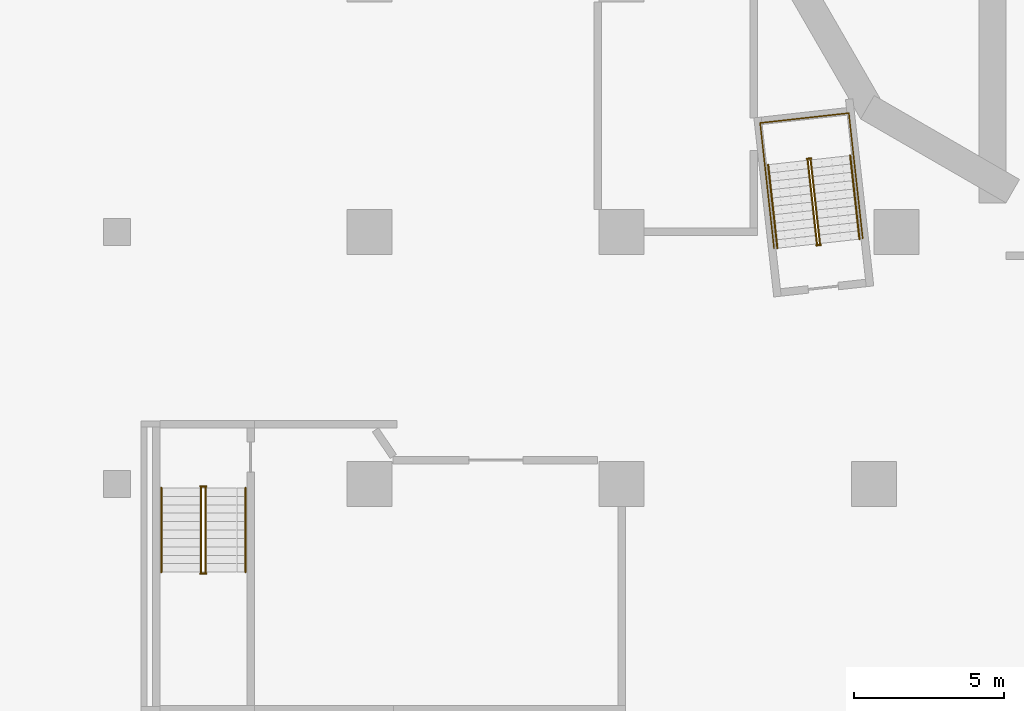
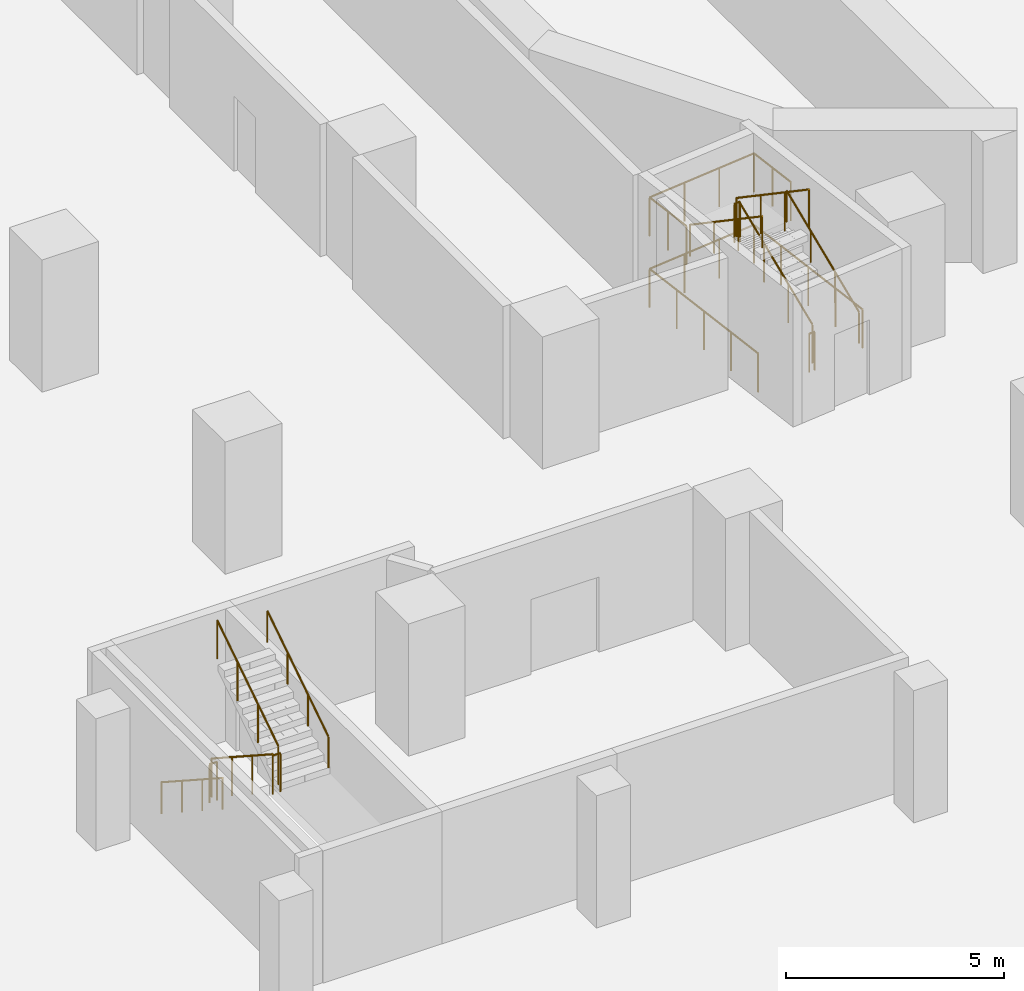
# One storey, part 13 of 18: 13 railings.
"""IFC4 building model written with IfcOpenShell, lengths in metres."""

from ifc_helpers import new_model, si_unit, direction, frame, origin, origin_2d, place, context, subcontext, project, spatial, circle, extrude, material, type_object, element, save


model = new_model("IFC4")

# Units and contexts
model_context = context("Model", 3, precision=1e-05, world=origin(), true_north=direction((0.0, 1.0)))
body_context = subcontext(model_context, "Body", "Model", "MODEL_VIEW")
ifc_project = project(units=[si_unit("LENGTHUNIT", "METRE"), si_unit("AREAUNIT", "SQUARE_METRE"), si_unit("VOLUMEUNIT", "CUBIC_METRE"), si_unit("PLANEANGLEUNIT", "RADIAN"), si_unit("MASSUNIT", "GRAM", prefix="KILO")], contexts=[model_context])

# Site, building, storey
site_placement = place(None, origin())
site = spatial("IfcSite", under=ifc_project, at=site_placement, CompositionType="ELEMENT")
building_placement = place(site_placement, origin())
building = spatial("IfcBuilding", under=site, at=building_placement, Name="Cantera Rosa Tower", CompositionType="ELEMENT")
storey_placement = place(building_placement, frame((0.0, 0.0, -9.0)))
storey = spatial("IfcBuildingStorey", under=building, at=storey_placement, Name="B2", CompositionType="ELEMENT", Elevation=-9.0)

# Railings
ifc_material_1 = material(Name="Steel S355J2 (EN 10025-2)", Category="steel")
railing_type_1 = type_object("IfcRailingType", Name="STAIR GUARD 1100", PredefinedType="GUARDRAIL", material=ifc_material_1)
railing_1_placement = place(storey_placement, frame((-10.19677734375, -12.986083984375, 0.181884765625)))
element("IfcRailing", 1, at=railing_1_placement, inside=storey, type_object=railing_type_1, Name="B2 ST-13 stair guard 1", PredefinedType="GUARDRAIL", context=body_context, shape_type="SweptSolid", body=[
    extrude(circle(Radius=0.02392578125, at=origin_2d()), frame((0.0, 0.0, 1.076171875), z_axis=(-0.09250714026, 0.833588056777, 0.544585512661), x_axis=(-0.993898612038, -0.110297547524, 0.0)), (0.0, 0.0, 1.0), 3.338623046875),
    extrude(circle(Radius=0.02392578125, at=origin_2d()), frame((-0.308837890625, 2.782958984375, 2.89404296875), z_axis=(0.360141847183, 0.932897555956, 0.0), x_axis=(-0.932897555956, 0.360141847183, 0.0)), (0.0, 0.0, 1.0), 0.05615234375),
    extrude(circle(Radius=0.02392578125, at=origin_2d()), frame((-0.28857421875, 2.83544921875, 2.89404296875), z_axis=(-0.993863881828, -0.110610055588, 0.0), x_axis=(0.110610055588, -0.993863881828, 0.0)), (0.0, 0.0, 1.0), 0.150146484375),
    extrude(circle(Radius=0.02099609375, at=origin_2d()), origin(), (0.0, 0.0, 1.0), 1.052001953125),
    extrude(circle(Radius=0.02099609375, at=origin_2d()), frame((-0.10302734375, 0.927734375, 0.60595703125)), (0.0, 0.0, 1.0), 1.052001953125),
    extrude(circle(Radius=0.02099609375, at=origin_2d()), frame((-0.205810546875, 1.855224609375, 1.212158203125)), (0.0, 0.0, 1.0), 1.052001953125),
    extrude(circle(Radius=0.02099609375, at=origin_2d()), frame((-0.308837890625, 2.782958984375, 1.818115234375)), (0.0, 0.0, 1.0), 1.052001953125),
    extrude(circle(Radius=0.02099609375, at=origin_2d()), frame((-0.28857421875, 2.83544921875, 1.818115234375)), (0.0, 0.0, 1.0), 1.052001953125),
    extrude(circle(Radius=0.02099609375, at=origin_2d()), frame((-0.437744140625, 2.81884765625, 1.818115234375)), (0.0, 0.0, 1.0), 1.052001953125),
])
railing_2_placement = place(storey_placement, frame((-10.60302734375, -10.2138671875, 2.181884765625)))
element("IfcRailing", 2, at=railing_2_placement, inside=storey, type_object=railing_type_1, Name="B2 ST-13 stair guard 2", PredefinedType="GUARDRAIL", context=body_context, shape_type="SweptSolid", body=[
    extrude(circle(Radius=0.02392578125, at=origin_2d()), frame((0.0, 0.0, 1.076171875), z_axis=(0.09250714026, -0.833588056777, 0.544585512661), x_axis=(0.993898612038, 0.110297547524, 0.0)), (0.0, 0.0, 1.0), 3.338623046875),
    extrude(circle(Radius=0.02099609375, at=origin_2d()), origin(), (0.0, 0.0, 1.0), 1.052001953125),
    extrude(circle(Radius=0.02099609375, at=origin_2d()), frame((0.10302734375, -0.927734375, 0.60595703125)), (0.0, 0.0, 1.0), 1.052001953125),
    extrude(circle(Radius=0.02099609375, at=origin_2d()), frame((0.205810546875, -1.855224609375, 1.212158203125)), (0.0, 0.0, 1.0), 1.052001953125),
    extrude(circle(Radius=0.02099609375, at=origin_2d()), frame((0.308837890625, -2.782958984375, 1.818115234375)), (0.0, 0.0, 1.0), 1.052001953125),
])
railing_3_placement = place(storey_placement, frame((-10.16552734375, -13.032958984375, 0.0)))
element("IfcRailing", 3, at=railing_3_placement, inside=storey, type_object=railing_type_1, Name="B2 ST-13 stair guard 3", PredefinedType="GUARDRAIL", context=body_context, shape_type="SweptSolid", body=[
    extrude(circle(Radius=0.02392578125, at=origin_2d()), frame((0.0, 0.0, 1.076171875), z_axis=(-0.994041430915, -0.1090029065, 0.0), x_axis=(0.1090029065, -0.994041430915, 0.0)), (0.0, 0.0, 1.0), 0.150146484375),
    extrude(circle(Radius=0.02099609375, at=origin_2d()), origin(), (0.0, 0.0, 1.0), 1.052001953125),
    extrude(circle(Radius=0.02099609375, at=origin_2d()), frame((-0.149169921875, -0.016357421875, 0.0)), (0.0, 0.0, 1.0), 1.052001953125),
])
railing_4_placement = place(storey_placement, frame((-8.77099609375, -12.815673828125, 0.0)))
element("IfcRailing", 4, at=railing_4_placement, inside=storey, type_object=railing_type_1, Name="B2 ST-13 stair guard 4", PredefinedType="GUARDRAIL", context=body_context, shape_type="SweptSolid", body=[
    extrude(circle(Radius=0.02392578125, at=origin_2d()), frame((0.0, 0.0, 1.076171875), z_axis=(-0.110323013767, 0.9938957856, 0.0), x_axis=(-0.9938957856, -0.110323013767, 0.0)), (0.0, 0.0, 1.0), 4.197998046875),
    extrude(circle(Radius=0.02392578125, at=origin_2d()), frame((-0.463134765625, 4.17236328125, 1.076171875), z_axis=(-0.993896759678, -0.110314237986, 0.0), x_axis=(0.110314237986, -0.993896759678, 0.0)), (0.0, 0.0, 1.0), 2.969970703125),
    extrude(circle(Radius=0.02392578125, at=origin_2d()), frame((-3.4150390625, 3.8447265625, 1.076171875), z_axis=(0.110323013767, -0.9938957856, 0.0), x_axis=(0.9938957856, 0.110323013767, 0.0)), (0.0, 0.0, 1.0), 4.197998046875),
    extrude(circle(Radius=0.02099609375, at=origin_2d()), origin(), (0.0, 0.0, 1.0), 1.052001953125),
    extrude(circle(Radius=0.02099609375, at=origin_2d()), frame((-0.11572265625, 1.04296875, 0.0)), (0.0, 0.0, 1.0), 1.052001953125),
    extrude(circle(Radius=0.02099609375, at=origin_2d()), frame((-0.2314453125, 2.086181640625, 0.0)), (0.0, 0.0, 1.0), 1.052001953125),
    extrude(circle(Radius=0.02099609375, at=origin_2d()), frame((-0.347412109375, 3.12939453125, 0.0)), (0.0, 0.0, 1.0), 1.052001953125),
    extrude(circle(Radius=0.02099609375, at=origin_2d()), frame((-0.463134765625, 4.17236328125, 0.0)), (0.0, 0.0, 1.0), 1.052001953125),
    extrude(circle(Radius=0.02099609375, at=origin_2d()), frame((-1.447021484375, 4.063232421875, 0.0)), (0.0, 0.0, 1.0), 1.052001953125),
    extrude(circle(Radius=0.02099609375, at=origin_2d()), frame((-2.43115234375, 3.953857421875, 0.0)), (0.0, 0.0, 1.0), 1.052001953125),
    extrude(circle(Radius=0.02099609375, at=origin_2d()), frame((-3.4150390625, 3.8447265625, 0.0)), (0.0, 0.0, 1.0), 1.052001953125),
    extrude(circle(Radius=0.02099609375, at=origin_2d()), frame((-3.29931640625, 2.8017578125, 0.0)), (0.0, 0.0, 1.0), 1.052001953125),
    extrude(circle(Radius=0.02099609375, at=origin_2d()), frame((-3.18359375, 1.758544921875, 0.0)), (0.0, 0.0, 1.0), 1.052001953125),
    extrude(circle(Radius=0.02099609375, at=origin_2d()), frame((-3.067626953125, 0.71533203125, 0.0)), (0.0, 0.0, 1.0), 1.052001953125),
    extrude(circle(Radius=0.02099609375, at=origin_2d()), frame((-2.951904296875, -0.32763671875, 0.0)), (0.0, 0.0, 1.0), 1.052001953125),
])
railing_5_placement = place(storey_placement, frame((-9.0771484375, -10.056640625, 2.0)))
element("IfcRailing", 5, at=railing_5_placement, inside=storey, type_object=railing_type_1, Name="B2 ST-13 stair guard 5", PredefinedType="GUARDRAIL", context=body_context, shape_type="SweptSolid", body=[
    extrude(circle(Radius=0.02392578125, at=origin_2d()), frame((0.0, 0.0, 1.076171875), z_axis=(-0.110393838913, 0.993887921413, 0.0), x_axis=(-0.993887921413, -0.110393838913, 0.0)), (0.0, 0.0, 1.0), 1.422119140625),
    extrude(circle(Radius=0.02392578125, at=origin_2d()), frame((-0.156982421875, 1.413330078125, 1.076171875), z_axis=(-0.993896759678, -0.110314237986, 0.0), x_axis=(0.110314237986, -0.993896759678, 0.0)), (0.0, 0.0, 1.0), 2.969970703125),
    extrude(circle(Radius=0.02392578125, at=origin_2d()), frame((-3.10888671875, 1.085693359375, 1.076171875), z_axis=(0.110393838913, -0.993887921413, 0.0), x_axis=(0.993887921413, 0.110393838913, 0.0)), (0.0, 0.0, 1.0), 1.422119140625),
    extrude(circle(Radius=0.02099609375, at=origin_2d()), origin(), (0.0, 0.0, 1.0), 1.052001953125),
    extrude(circle(Radius=0.02099609375, at=origin_2d()), frame((-0.07861328125, 0.70654296875, 0.0)), (0.0, 0.0, 1.0), 1.052001953125),
    extrude(circle(Radius=0.02099609375, at=origin_2d()), frame((-0.156982421875, 1.413330078125, 0.0)), (0.0, 0.0, 1.0), 1.052001953125),
    extrude(circle(Radius=0.02099609375, at=origin_2d()), frame((-1.140869140625, 1.30419921875, 0.0)), (0.0, 0.0, 1.0), 1.052001953125),
    extrude(circle(Radius=0.02099609375, at=origin_2d()), frame((-2.125, 1.19482421875, 0.0)), (0.0, 0.0, 1.0), 1.052001953125),
    extrude(circle(Radius=0.02099609375, at=origin_2d()), frame((-3.10888671875, 1.085693359375, 0.0)), (0.0, 0.0, 1.0), 1.052001953125),
    extrude(circle(Radius=0.02099609375, at=origin_2d()), frame((-3.0302734375, 0.37890625, 0.0)), (0.0, 0.0, 1.0), 1.052001953125),
    extrude(circle(Radius=0.02099609375, at=origin_2d()), frame((-2.951904296875, -0.32763671875, 0.0)), (0.0, 0.0, 1.0), 1.052001953125),
])
railing_6_placement = place(storey_placement, frame((-30.799072265625, -21.125, 0.181884765625)))
element("IfcRailing", 6, at=railing_6_placement, inside=storey, type_object=railing_type_1, Name="B2 ST-SW stair guard 1", PredefinedType="GUARDRAIL", context=body_context, shape_type="SweptSolid", body=[
    extrude(circle(Radius=0.02392578125, at=origin_2d()), frame((0.0, 0.0, 1.076171875), z_axis=(0.0, -0.838705829183, 0.544584733623), x_axis=(1.0, 0.0, 0.0)), (0.0, 0.0, 1.0), 3.338623046875),
    extrude(circle(Radius=0.02099609375, at=origin_2d()), origin(), (0.0, 0.0, 1.0), 1.052001953125),
    extrude(circle(Radius=0.02099609375, at=origin_2d()), frame((0.0, -0.933349609375, 0.60595703125)), (0.0, 0.0, 1.0), 1.052001953125),
    extrude(circle(Radius=0.02099609375, at=origin_2d()), frame((0.0, -1.86669921875, 1.212158203125)), (0.0, 0.0, 1.0), 1.052001953125),
    extrude(circle(Radius=0.02099609375, at=origin_2d()), frame((0.0, -2.800048828125, 1.818115234375)), (0.0, 0.0, 1.0), 1.052001953125),
])
railing_7_placement = place(storey_placement, frame((-30.824951171875, -23.97509765625, 2.0)))
element("IfcRailing", 7, at=railing_7_placement, inside=storey, type_object=railing_type_1, Name="B2 ST-SW stair guard 2", PredefinedType="GUARDRAIL", context=body_context, shape_type="SweptSolid", body=[
    extrude(circle(Radius=0.02392578125, at=origin_2d()), frame((0.0, 0.0, 1.076171875), z_axis=(1.0, 0.0, 0.0), x_axis=(0.0, 1.0, 0.0)), (0.0, 0.0, 1.0), 0.199951171875),
    extrude(circle(Radius=0.02099609375, at=origin_2d()), origin(), (0.0, 0.0, 1.0), 1.052001953125),
    extrude(circle(Radius=0.02099609375, at=origin_2d()), frame((0.199951171875, 0.0, 0.0)), (0.0, 0.0, 1.0), 1.052001953125),
])
railing_8_placement = place(storey_placement, frame((-30.65087890625, -23.925048828125, 2.181884765625)))
element("IfcRailing", 8, at=railing_8_placement, inside=storey, type_object=railing_type_1, Name="B2 ST-SW stair guard 3", PredefinedType="GUARDRAIL", context=body_context, shape_type="SweptSolid", body=[
    extrude(circle(Radius=0.02392578125, at=origin_2d()), frame((0.0, 0.0, 1.076171875), z_axis=(0.0, 0.838705829183, 0.544584733623), x_axis=(-1.0, 0.0, 0.0)), (0.0, 0.0, 1.0), 3.338623046875),
    extrude(circle(Radius=0.02099609375, at=origin_2d()), origin(), (0.0, 0.0, 1.0), 1.052001953125),
    extrude(circle(Radius=0.02099609375, at=origin_2d()), frame((0.0, 0.933349609375, 0.60595703125)), (0.0, 0.0, 1.0), 1.052001953125),
    extrude(circle(Radius=0.02099609375, at=origin_2d()), frame((0.0, 1.86669921875, 1.212158203125)), (0.0, 0.0, 1.0), 1.052001953125),
    extrude(circle(Radius=0.02099609375, at=origin_2d()), frame((0.0, 2.800048828125, 1.818115234375)), (0.0, 0.0, 1.0), 1.052001953125),
])
railing_9_placement = place(storey_placement, frame((-30.824951171875, -21.074951171875, 0.0)))
element("IfcRailing", 9, at=railing_9_placement, inside=storey, type_object=railing_type_1, Name="B2 ST-SW stair guard 4", PredefinedType="GUARDRAIL", context=body_context, shape_type="SweptSolid", body=[
    extrude(circle(Radius=0.02392578125, at=origin_2d()), frame((0.0, 0.0, 1.076171875), z_axis=(1.0, 0.0, 0.0), x_axis=(0.0, 1.0, 0.0)), (0.0, 0.0, 1.0), 0.199951171875),
    extrude(circle(Radius=0.02099609375, at=origin_2d()), origin(), (0.0, 0.0, 1.0), 1.052001953125),
    extrude(circle(Radius=0.02099609375, at=origin_2d()), frame((0.199951171875, 0.0, 0.0)), (0.0, 0.0, 1.0), 1.052001953125),
])
ifc_material_2 = material(Name="Steel S355J2 (EN 10025-2)", Category="steel")
railing_type_2 = type_object("IfcRailingType", Name="STAIR HANDRAIL 900", PredefinedType="HANDRAIL", material=ifc_material_2)
railing_10_placement = place(storey_placement, frame((-8.87890625, -12.83984375, 0.181884765625)))
element("IfcRailing", 10, at=railing_10_placement, inside=storey, type_object=railing_type_2, Name="B2 ST-13 stair handrail 1", PredefinedType="HANDRAIL", context=body_context, shape_type="SweptSolid", body=[
    extrude(circle(Radius=0.02392578125, at=origin_2d()), frame((0.0, 0.0, 0.8759765625), z_axis=(-0.09250714026, 0.833588056777, 0.544585512661), x_axis=(-0.993898612038, -0.110297547524, 0.0)), (0.0, 0.0, 1.0), 3.338623046875),
    extrude(circle(Radius=0.02099609375, at=origin_2d()), origin(), (0.0, 0.0, 1.0), 0.851806640625),
    extrude(circle(Radius=0.02099609375, at=origin_2d()), frame((-0.10302734375, 0.927734375, 0.60595703125)), (0.0, 0.0, 1.0), 0.851806640625),
    extrude(circle(Radius=0.02099609375, at=origin_2d()), frame((-0.205810546875, 1.855224609375, 1.212158203125)), (0.0, 0.0, 1.0), 0.851806640625),
    extrude(circle(Radius=0.02099609375, at=origin_2d()), frame((-0.308837890625, 2.782958984375, 1.818115234375)), (0.0, 0.0, 1.0), 0.851806640625),
])
railing_11_placement = place(storey_placement, frame((-11.921142578125, -10.360107421875, 2.181884765625)))
element("IfcRailing", 11, at=railing_11_placement, inside=storey, type_object=railing_type_2, Name="B2 ST-13 stair handrail 2", PredefinedType="HANDRAIL", context=body_context, shape_type="SweptSolid", body=[
    extrude(circle(Radius=0.02392578125, at=origin_2d()), frame((0.0, 0.0, 0.8759765625), z_axis=(0.092579641899, -0.833582415484, 0.544581827187), x_axis=(0.99388905004, 0.110383677283, 0.0)), (0.0, 0.0, 1.0), 3.338623046875),
    extrude(circle(Radius=0.02099609375, at=origin_2d()), origin(), (0.0, 0.0, 1.0), 0.851806640625),
    extrude(circle(Radius=0.02099609375, at=origin_2d()), frame((0.10302734375, -0.927734375, 0.60595703125)), (0.0, 0.0, 1.0), 0.851806640625),
    extrude(circle(Radius=0.02099609375, at=origin_2d()), frame((0.2060546875, -1.855224609375, 1.212158203125)), (0.0, 0.0, 1.0), 0.851806640625),
    extrude(circle(Radius=0.02099609375, at=origin_2d()), frame((0.30908203125, -2.782958984375, 1.818115234375)), (0.0, 0.0, 1.0), 0.851806640625),
])
railing_12_placement = place(storey_placement, frame((-32.125, -21.125, 0.181884765625)))
element("IfcRailing", 12, at=railing_12_placement, inside=storey, type_object=railing_type_2, Name="B2 ST-SW stair handrail 1", PredefinedType="HANDRAIL", context=body_context, shape_type="SweptSolid", body=[
    extrude(circle(Radius=0.02392578125, at=origin_2d()), frame((0.0, 0.0, 0.8759765625), z_axis=(0.0, -0.838705829183, 0.544584733623), x_axis=(1.0, 0.0, 0.0)), (0.0, 0.0, 1.0), 3.338623046875),
    extrude(circle(Radius=0.02099609375, at=origin_2d()), origin(), (0.0, 0.0, 1.0), 0.851806640625),
    extrude(circle(Radius=0.02099609375, at=origin_2d()), frame((0.0, -0.933349609375, 0.60595703125)), (0.0, 0.0, 1.0), 0.851806640625),
    extrude(circle(Radius=0.02099609375, at=origin_2d()), frame((0.0, -1.86669921875, 1.212158203125)), (0.0, 0.0, 1.0), 0.851806640625),
    extrude(circle(Radius=0.02099609375, at=origin_2d()), frame((0.0, -2.800048828125, 1.818115234375)), (0.0, 0.0, 1.0), 0.851806640625),
])
railing_13_placement = place(storey_placement, frame((-29.324951171875, -23.925048828125, 2.181884765625)))
element("IfcRailing", 13, at=railing_13_placement, inside=storey, type_object=railing_type_2, Name="B2 ST-SW stair handrail 2", PredefinedType="HANDRAIL", context=body_context, shape_type="SweptSolid", body=[
    extrude(circle(Radius=0.02392578125, at=origin_2d()), frame((0.0, 0.0, 0.8759765625), z_axis=(0.0, 0.838705829183, 0.544584733623), x_axis=(-1.0, 0.0, 0.0)), (0.0, 0.0, 1.0), 3.338623046875),
    extrude(circle(Radius=0.02099609375, at=origin_2d()), origin(), (0.0, 0.0, 1.0), 0.851806640625),
    extrude(circle(Radius=0.02099609375, at=origin_2d()), frame((0.0, 0.933349609375, 0.60595703125)), (0.0, 0.0, 1.0), 0.851806640625),
    extrude(circle(Radius=0.02099609375, at=origin_2d()), frame((0.0, 1.86669921875, 1.212158203125)), (0.0, 0.0, 1.0), 0.851806640625),
    extrude(circle(Radius=0.02099609375, at=origin_2d()), frame((0.0, 2.800048828125, 1.818115234375)), (0.0, 0.0, 1.0), 0.851806640625),
])

save(model, "model.ifc")
